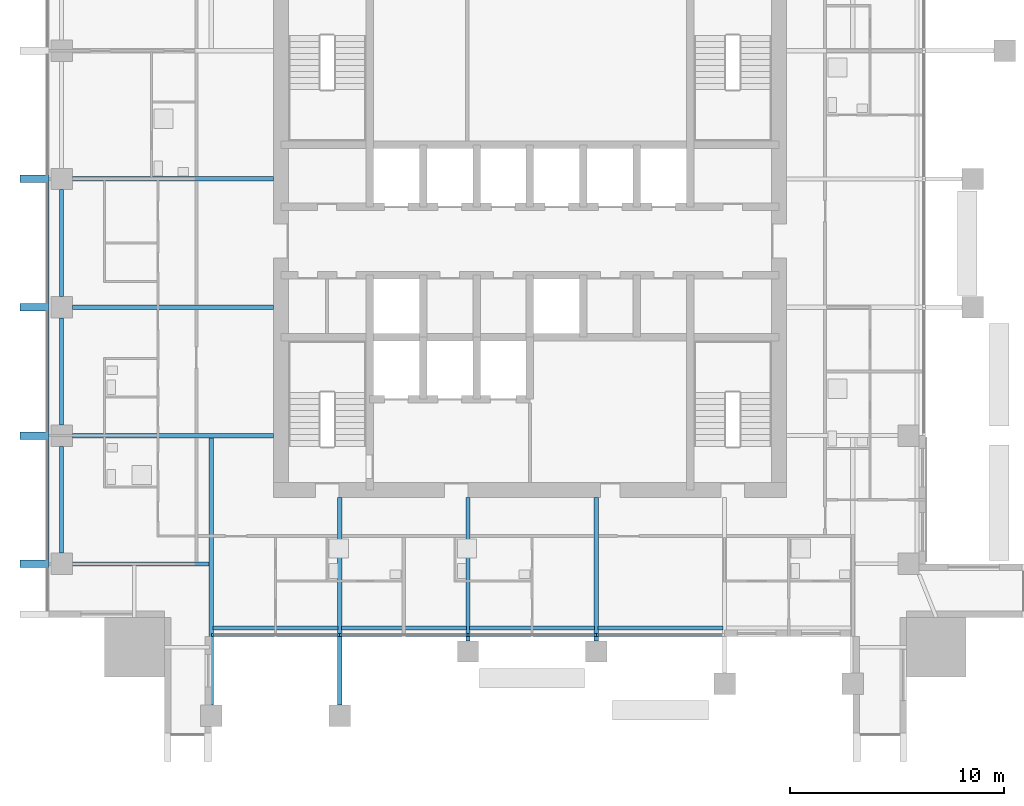
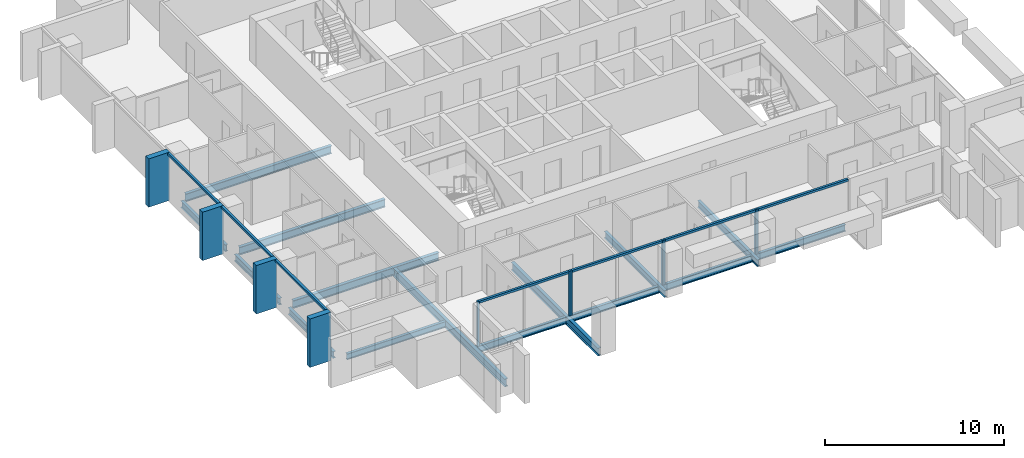
# One storey, part 2 of 14: 18 members, 15 beams, 5 elements without a shape of their own.
"""IFC4 building model written with IfcOpenShell, lengths in metres."""

from ifc_helpers import new_model, si_unit, direction, frame, origin, origin_2d, place, context, subcontext, project, spatial, rectangle, i_section, extrude, material, material_profile, profile_set, type_object, element, aggregate, save


model = new_model("IFC4")

# Units and contexts
model_context = context("Model", 3, precision=1e-05, world=origin(), true_north=direction((0.0, 1.0)))
body_context = subcontext(model_context, "Body", "Model", "MODEL_VIEW")
ifc_project = project(units=[si_unit("LENGTHUNIT", "METRE"), si_unit("AREAUNIT", "SQUARE_METRE"), si_unit("VOLUMEUNIT", "CUBIC_METRE"), si_unit("PLANEANGLEUNIT", "RADIAN"), si_unit("MASSUNIT", "GRAM", prefix="KILO")], contexts=[model_context])

# Site, building, storey
site_placement = place(None, origin())
site = spatial("IfcSite", under=ifc_project, at=site_placement, CompositionType="ELEMENT")
building_placement = place(site_placement, origin())
building = spatial("IfcBuilding", under=site, at=building_placement, Name="Amberfall Residences", CompositionType="ELEMENT")
storey_placement = place(building_placement, frame((0.0, 0.0, 168.10009765625)))
storey = spatial("IfcBuildingStorey", under=building, at=storey_placement, Name="L45", CompositionType="ELEMENT", Elevation=168.10009765625)

# Curtain wall, members
ifc_material_1 = material(Name="Bronze anodised aluminium and glass", Category="aluminium")
curtain_wall_type_1 = type_object("IfcCurtainWallType", Name="Curtain wall CW1 tower unit", PredefinedType="USERDEFINED", material=ifc_material_1)
curtain_wall_1_placement = place(storey_placement, origin())
curtain_wall_1 = element("IfcCurtainWall", 1, at=curtain_wall_1_placement, inside=storey, type_object=curtain_wall_type_1, Name="Curtain wall L45 W W1", ObjectType="UNITISED CURTAIN WALL", PredefinedType="USERDEFINED")
ifc_material_2 = material(Name="Bronze anodised aluminium", Category="aluminium")
ifc_material_profile_1 = material_profile(ifc_material_2, rectangle(XDim=0.14990234375, YDim=0.14990234375, at=origin_2d()), Name="CW1 transom 150 x 150 bronze")
ifc_profile_set_1 = profile_set([ifc_material_profile_1], Name="Bronze anodised aluminium")
member_type_1 = type_object("IfcMemberType", Name="CW1 transom 150 x 150 bronze", PredefinedType="USERDEFINED", material=ifc_profile_set_1)
member_1_placement = place(storey_placement, frame((51.925048828125, 48.22509765625, 2.974853515625), z_axis=(0.0, -1.0, 0.0), x_axis=(1.0, 0.0, 0.0)))
member_1 = element("IfcMember", 2, at=member_1_placement, type_object=member_type_1, Name="CW1 transom 4.1", ObjectType="TRANSOM", PredefinedType="USERDEFINED", context=body_context, shape_type="SweptSolid", body=[
    extrude(rectangle(XDim=0.14990234375, YDim=0.14990234375, at=origin_2d()), origin(), (0.0, 0.0, 1.0), 5.650146484375),
])
member_2_placement = place(storey_placement, frame((51.925048828125, 42.22509765625, 2.974853515625), z_axis=(0.0, -1.0, 0.0), x_axis=(1.0, 0.0, 0.0)))
member_2 = element("IfcMember", 3, at=member_2_placement, type_object=member_type_1, Name="CW1 transom 5.1", ObjectType="TRANSOM", PredefinedType="USERDEFINED", context=body_context, shape_type="SweptSolid", body=[
    extrude(rectangle(XDim=0.14990234375, YDim=0.14990234375, at=origin_2d()), origin(), (0.0, 0.0, 1.0), 5.650146484375),
])
member_3_placement = place(storey_placement, frame((51.925048828125, 36.22509765625, 2.974853515625), z_axis=(0.0, -1.0, 0.0), x_axis=(1.0, 0.0, 0.0)))
member_3 = element("IfcMember", 4, at=member_3_placement, type_object=member_type_1, Name="CW1 transom 6.1", ObjectType="TRANSOM", PredefinedType="USERDEFINED", context=body_context, shape_type="SweptSolid", body=[
    extrude(rectangle(XDim=0.14990234375, YDim=0.14990234375, at=origin_2d()), origin(), (0.0, 0.0, 1.0), 5.650146484375),
])

curtain_wall_type_2 = type_object("IfcCurtainWallType", Name="Curtain wall CW3 sky garden glazing", PredefinedType="USERDEFINED", material=ifc_material_1)
curtain_wall_2_placement = place(storey_placement, origin())
curtain_wall_2 = element("IfcCurtainWall", 5, at=curtain_wall_2_placement, inside=storey, type_object=curtain_wall_type_2, Name="Curtain wall L45 S S3", ObjectType="UNITISED CURTAIN WALL", PredefinedType="USERDEFINED")
ifc_material_profile_2 = material_profile(ifc_material_2, rectangle(XDim=0.14990234375, YDim=0.10009765625, at=origin_2d()), Name="CW3 mullion 100 x 150 bronze")
ifc_profile_set_2 = profile_set([ifc_material_profile_2], Name="Bronze anodised aluminium")
member_type_2 = type_object("IfcMemberType", Name="CW3 mullion 100 x 150 bronze", PredefinedType="MULLION", material=ifc_profile_set_2)
member_4_placement = place(storey_placement, frame((59.64990234375, 27.074951171875, 0.0), z_axis=(0.0, 0.0, 1.0), x_axis=(0.0, 1.0, 0.0)))
member_4 = element("IfcMember", 6, at=member_4_placement, type_object=member_type_2, Name="CW3 mullion 1", PredefinedType="MULLION", context=body_context, shape_type="SweptSolid", body=[
    extrude(rectangle(XDim=0.14990234375, YDim=0.10009765625, at=origin_2d()), origin(), (0.0, 0.0, 1.0), 3.0498046875),
])
member_5_placement = place(storey_placement, frame((65.550048828125, 27.074951171875, 0.0), z_axis=(0.0, 0.0, 1.0), x_axis=(0.0, 1.0, 0.0)))
member_5 = element("IfcMember", 7, at=member_5_placement, type_object=member_type_2, Name="CW3 mullion 2", PredefinedType="MULLION", context=body_context, shape_type="SweptSolid", body=[
    extrude(rectangle(XDim=0.14990234375, YDim=0.10009765625, at=origin_2d()), origin(), (0.0, 0.0, 1.0), 3.0498046875),
])

curtain_wall_3_placement = place(storey_placement, origin())
curtain_wall_3 = element("IfcCurtainWall", 8, at=curtain_wall_3_placement, inside=storey, type_object=curtain_wall_type_2, Name="Curtain wall L45 S S4", ObjectType="UNITISED CURTAIN WALL", PredefinedType="USERDEFINED")
member_6_placement = place(storey_placement, frame((65.64990234375, 27.074951171875, 0.0), z_axis=(0.0, 0.0, 1.0), x_axis=(0.0, 1.0, 0.0)))
member_6 = element("IfcMember", 9, at=member_6_placement, type_object=member_type_2, Name="CW3 mullion 1", PredefinedType="MULLION", context=body_context, shape_type="SweptSolid", body=[
    extrude(rectangle(XDim=0.14990234375, YDim=0.10009765625, at=origin_2d()), origin(), (0.0, 0.0, 1.0), 3.0498046875),
])
member_7_placement = place(storey_placement, frame((71.550048828125, 27.074951171875, 0.0), z_axis=(0.0, 0.0, 1.0), x_axis=(0.0, 1.0, 0.0)))
member_7 = element("IfcMember", 10, at=member_7_placement, type_object=member_type_2, Name="CW3 mullion 2", PredefinedType="MULLION", context=body_context, shape_type="SweptSolid", body=[
    extrude(rectangle(XDim=0.14990234375, YDim=0.10009765625, at=origin_2d()), origin(), (0.0, 0.0, 1.0), 3.0498046875),
])

curtain_wall_4_placement = place(storey_placement, origin())
curtain_wall_4 = element("IfcCurtainWall", 11, at=curtain_wall_4_placement, inside=storey, type_object=curtain_wall_type_2, Name="Curtain wall L45 S S5", ObjectType="UNITISED CURTAIN WALL", PredefinedType="USERDEFINED")
member_8_placement = place(storey_placement, frame((71.64990234375, 27.074951171875, 0.0), z_axis=(0.0, 0.0, 1.0), x_axis=(0.0, 1.0, 0.0)))
member_8 = element("IfcMember", 12, at=member_8_placement, type_object=member_type_2, Name="CW3 mullion 1", PredefinedType="MULLION", context=body_context, shape_type="SweptSolid", body=[
    extrude(rectangle(XDim=0.14990234375, YDim=0.10009765625, at=origin_2d()), origin(), (0.0, 0.0, 1.0), 3.0498046875),
])
member_9_placement = place(storey_placement, frame((77.550048828125, 27.074951171875, 0.0), z_axis=(0.0, 0.0, 1.0), x_axis=(0.0, 1.0, 0.0)))
member_9 = element("IfcMember", 13, at=member_9_placement, type_object=member_type_2, Name="CW3 mullion 2", PredefinedType="MULLION", context=body_context, shape_type="SweptSolid", body=[
    extrude(rectangle(XDim=0.14990234375, YDim=0.10009765625, at=origin_2d()), origin(), (0.0, 0.0, 1.0), 3.0498046875),
])

# Curtain wall, member
curtain_wall_5_placement = place(storey_placement, origin())
curtain_wall_5 = element("IfcCurtainWall", 14, at=curtain_wall_5_placement, inside=storey, type_object=curtain_wall_type_2, Name="Curtain wall L45 S S6", ObjectType="UNITISED CURTAIN WALL", PredefinedType="USERDEFINED")
member_10_placement = place(storey_placement, frame((77.64990234375, 27.074951171875, 0.0), z_axis=(0.0, 0.0, 1.0), x_axis=(0.0, 1.0, 0.0)))
member_10 = element("IfcMember", 15, at=member_10_placement, type_object=member_type_2, Name="CW3 mullion 1", PredefinedType="MULLION", context=body_context, shape_type="SweptSolid", body=[
    extrude(rectangle(XDim=0.14990234375, YDim=0.10009765625, at=origin_2d()), origin(), (0.0, 0.0, 1.0), 3.0498046875),
])

# Member
ifc_material_profile_3 = material_profile(ifc_material_2, rectangle(XDim=0.14990234375, YDim=0.14990234375, at=origin_2d()), Name="CW3 transom 150 x 150 bronze")
ifc_profile_set_3 = profile_set([ifc_material_profile_3], Name="Bronze anodised aluminium")
member_type_3 = type_object("IfcMemberType", Name="CW3 transom 150 x 150 bronze", PredefinedType="USERDEFINED", material=ifc_profile_set_3)
member_11_placement = place(storey_placement, frame((59.699951171875, 27.074951171875, 2.974853515625), z_axis=(1.0, 0.0, 0.0), x_axis=(0.0, 1.0, 0.0)))
member_11 = element("IfcMember", 16, at=member_11_placement, type_object=member_type_3, Name="CW3 transom 1.1", ObjectType="TRANSOM", PredefinedType="USERDEFINED", context=body_context, shape_type="SweptSolid", body=[
    extrude(rectangle(XDim=0.14990234375, YDim=0.14990234375, at=origin_2d()), origin(), (0.0, 0.0, 1.0), 5.800048828125),
])

aggregate(curtain_wall_2, [member_4, member_5, member_11])

member_12_placement = place(storey_placement, frame((65.699951171875, 27.074951171875, 2.974853515625), z_axis=(1.0, 0.0, 0.0), x_axis=(0.0, 1.0, 0.0)))
member_12 = element("IfcMember", 17, at=member_12_placement, type_object=member_type_3, Name="CW3 transom 1.1", ObjectType="TRANSOM", PredefinedType="USERDEFINED", context=body_context, shape_type="SweptSolid", body=[
    extrude(rectangle(XDim=0.14990234375, YDim=0.14990234375, at=origin_2d()), origin(), (0.0, 0.0, 1.0), 5.800048828125),
])

aggregate(curtain_wall_3, [member_6, member_7, member_12])

member_13_placement = place(storey_placement, frame((71.699951171875, 27.074951171875, 2.974853515625), z_axis=(1.0, 0.0, 0.0), x_axis=(0.0, 1.0, 0.0)))
member_13 = element("IfcMember", 18, at=member_13_placement, type_object=member_type_3, Name="CW3 transom 1.1", ObjectType="TRANSOM", PredefinedType="USERDEFINED", context=body_context, shape_type="SweptSolid", body=[
    extrude(rectangle(XDim=0.14990234375, YDim=0.14990234375, at=origin_2d()), origin(), (0.0, 0.0, 1.0), 5.800048828125),
])

aggregate(curtain_wall_4, [member_8, member_9, member_13])

member_14_placement = place(storey_placement, frame((77.699951171875, 27.074951171875, 2.974853515625), z_axis=(1.0, 0.0, 0.0), x_axis=(0.0, 1.0, 0.0)))
member_14 = element("IfcMember", 19, at=member_14_placement, type_object=member_type_3, Name="CW3 transom 1.1", ObjectType="TRANSOM", PredefinedType="USERDEFINED", context=body_context, shape_type="SweptSolid", body=[
    extrude(rectangle(XDim=0.14990234375, YDim=0.14990234375, at=origin_2d()), origin(), (0.0, 0.0, 1.0), 5.800048828125),
])

aggregate(curtain_wall_5, [member_10, member_14])

# Beams
ifc_material_3 = material(Name="Steel S355", Category="steel")
ifc_material_profile_4 = material_profile(ifc_material_3, i_section(OverallWidth=0.18994140625, OverallDepth=0.453369140625, WebThickness=0.008544921875, FlangeThickness=0.0126953125, FilletRadius=0.01025390625, at=origin_2d()), Name="UB 457x191x67")
ifc_profile_set_4 = profile_set([ifc_material_profile_4], Name="Steel S355")
beam_type_1 = type_object("IfcBeamType", Name="Edge beam UB 457x191x67", PredefinedType="SPANDREL", material=ifc_profile_set_4)
for number, where, z_axis, x_axis, name in (
    (20, (59.679931640625, 27.39990234375, -0.476806640625), (1.0, 0.0, 0.0), (0.0, 1.0, 0.0), "Edge beam B1 L45 01"),
    (21, (65.679931640625, 27.39990234375, -0.476806640625), (1.0, 0.0, 0.0), (0.0, 1.0, 0.0), "Edge beam B1 L45 02"),
    (22, (71.679931640625, 27.39990234375, -0.476806640625), (1.0, 0.0, 0.0), (0.0, 1.0, 0.0), "Edge beam B1 L45 03"),
    (23, (77.679931640625, 27.39990234375, -0.476806640625), (1.0, 0.0, 0.0), (0.0, 1.0, 0.0), "Edge beam B1 L45 04"),
):
    element("IfcBeam", number, at=place(storey_placement, frame(where, z_axis=z_axis, x_axis=x_axis)), inside=storey, type_object=beam_type_1, Name=name, PredefinedType="SPANDREL", context=body_context, shape_type="SweptSolid", body=[
        extrude(i_section(OverallWidth=0.18994140625, OverallDepth=0.453369140625, WebThickness=0.008544921875, FlangeThickness=0.0126953125, FilletRadius=0.01025390625, at=origin_2d()), origin(), (0.0, 0.0, 1.0), 5.840087890625),
    ])
for number, where, z_axis, x_axis, name in (
    (24, (52.60009765625, 30.89990234375, -0.476806640625), (0.0, 1.0, 0.0), (-1.0, 0.0, 0.0), "Edge beam B1 L45 34"),
    (25, (52.60009765625, 36.89990234375, -0.476806640625), (0.0, 1.0, 0.0), (-1.0, 0.0, 0.0), "Edge beam B1 L45 35"),
    (26, (52.60009765625, 42.89990234375, -0.476806640625), (0.0, 1.0, 0.0), (-1.0, 0.0, 0.0), "Edge beam B1 L45 36"),
):
    element("IfcBeam", number, at=place(storey_placement, frame(where, z_axis=z_axis, x_axis=x_axis)), inside=storey, type_object=beam_type_1, Name=name, PredefinedType="SPANDREL", context=body_context, shape_type="SweptSolid", body=[
        extrude(i_section(OverallWidth=0.18994140625, OverallDepth=0.453369140625, WebThickness=0.008544921875, FlangeThickness=0.0126953125, FilletRadius=0.01025390625, at=origin_2d()), origin(), (0.0, 0.0, 1.0), 5.0),
    ])

# Member
ifc_material_profile_5 = material_profile(ifc_material_2, rectangle(XDim=1.35009765625, YDim=0.35009765625, at=origin_2d()), Name="Fin 350 x 1350 bronze")
ifc_profile_set_5 = profile_set([ifc_material_profile_5], Name="Bronze anodised aluminium")
member_type_4 = type_object("IfcMemberType", Name="Fin 350 x 1350 bronze", PredefinedType="MULLION", material=ifc_profile_set_5)
member_15_placement = place(storey_placement, frame((51.324951171875, 48.39990234375, -0.25), z_axis=(0.0, 0.0, 1.0), x_axis=(1.0, 0.0, 0.0)))
member_15 = element("IfcMember", 27, at=member_15_placement, type_object=member_type_4, Name="CW FIN 4", PredefinedType="MULLION", context=body_context, shape_type="SweptSolid", body=[
    extrude(rectangle(XDim=1.35009765625, YDim=0.35009765625, at=origin_2d()), origin(), (0.0, 0.0, 1.0), 3.2998046875),
])

member_16_placement = place(storey_placement, frame((51.324951171875, 42.39990234375, -0.25), z_axis=(0.0, 0.0, 1.0), x_axis=(1.0, 0.0, 0.0)))
member_16 = element("IfcMember", 28, at=member_16_placement, type_object=member_type_4, Name="CW FIN 5", PredefinedType="MULLION", context=body_context, shape_type="SweptSolid", body=[
    extrude(rectangle(XDim=1.35009765625, YDim=0.35009765625, at=origin_2d()), origin(), (0.0, 0.0, 1.0), 3.2998046875),
])

member_17_placement = place(storey_placement, frame((51.324951171875, 36.39990234375, -0.25), z_axis=(0.0, 0.0, 1.0), x_axis=(1.0, 0.0, 0.0)))
member_17 = element("IfcMember", 29, at=member_17_placement, type_object=member_type_4, Name="CW FIN 6", PredefinedType="MULLION", context=body_context, shape_type="SweptSolid", body=[
    extrude(rectangle(XDim=1.35009765625, YDim=0.35009765625, at=origin_2d()), origin(), (0.0, 0.0, 1.0), 3.2998046875),
])

member_18_placement = place(storey_placement, frame((51.324951171875, 30.39990234375, -0.25), z_axis=(0.0, 0.0, 1.0), x_axis=(1.0, 0.0, 0.0)))
member_18 = element("IfcMember", 30, at=member_18_placement, type_object=member_type_4, Name="CW FIN 7", PredefinedType="MULLION", context=body_context, shape_type="SweptSolid", body=[
    extrude(rectangle(XDim=1.35009765625, YDim=0.35009765625, at=origin_2d()), origin(), (0.0, 0.0, 1.0), 3.2998046875),
])

aggregate(curtain_wall_1, [member_15, member_16, member_17, member_18, member_1, member_2, member_3])

# Beams
ifc_material_profile_6 = material_profile(ifc_material_3, i_section(OverallWidth=0.177734375, OverallDepth=0.402587890625, WebThickness=0.0078125, FlangeThickness=0.010986328125, FilletRadius=0.01025390625, at=origin_2d()), Name="UB 406x178x54")
ifc_profile_set_6 = profile_set([ifc_material_profile_6], Name="Steel S355")
beam_type_2 = type_object("IfcBeamType", Name="Floor girder UB 406x178x54", PredefinedType="BEAM", material=ifc_profile_set_6)
beam_1_placement = place(storey_placement, frame((53.10009765625, 30.39990234375, -0.451416015625), z_axis=(1.0, 0.0, 0.0), x_axis=(0.0, 1.0, 0.0)))
element("IfcBeam", 31, at=beam_1_placement, inside=storey, type_object=beam_type_2, Name="Floor girder B4 L45 39", PredefinedType="BEAM", context=body_context, shape_type="SweptSolid", body=[
    extrude(i_section(OverallWidth=0.177734375, OverallDepth=0.402587890625, WebThickness=0.0078125, FlangeThickness=0.010986328125, FilletRadius=0.01025390625, at=origin_2d()), origin(), (0.0, 0.0, 1.0), 6.3798828125),
])
ifc_material_profile_7 = material_profile(ifc_material_3, i_section(OverallWidth=0.19140625, OverallDepth=0.4599609375, WebThickness=0.010009765625, FlangeThickness=0.01611328125, FilletRadius=0.01025390625, at=origin_2d()), Name="UB 457x191x82")
ifc_profile_set_7 = profile_set([ifc_material_profile_7], Name="Steel S355")
beam_type_3 = type_object("IfcBeamType", Name="Floor girder UB 457x191x82", PredefinedType="BEAM", material=ifc_profile_set_7)
for number, where, z_axis, x_axis, name in (
    (32, (71.60009765625, 26.800048828125, -0.47998046875), (0.0, 1.0, 0.0), (-1.0, 0.0, 0.0), "Floor girder B10 L45 08"),
    (33, (77.60009765625, 26.800048828125, -0.47998046875), (0.0, 1.0, 0.0), (-1.0, 0.0, 0.0), "Floor girder B10 L45 09"),
):
    element("IfcBeam", number, at=place(storey_placement, frame(where, z_axis=z_axis, x_axis=x_axis)), inside=storey, type_object=beam_type_3, Name=name, PredefinedType="BEAM", context=body_context, shape_type="SweptSolid", body=[
        extrude(i_section(OverallWidth=0.19140625, OverallDepth=0.4599609375, WebThickness=0.010009765625, FlangeThickness=0.01611328125, FilletRadius=0.01025390625, at=origin_2d()), origin(), (0.0, 0.0, 1.0), 6.699951171875),
    ])
ifc_material_profile_8 = material_profile(ifc_material_3, i_section(OverallWidth=0.210693359375, OverallDepth=0.53955078125, WebThickness=0.01171875, FlangeThickness=0.018798828125, FilletRadius=0.0126953125, at=origin_2d()), Name="UB 533x210x109")
ifc_profile_set_8 = profile_set([ifc_material_profile_8], Name="Steel S355")
beam_type_4 = type_object("IfcBeamType", Name="Floor girder UB 533x210x109", PredefinedType="BEAM", material=ifc_profile_set_8)
beam_2_placement = place(storey_placement, frame((59.60009765625, 23.800048828125, -0.519775390625), z_axis=(0.0, 1.0, 0.0), x_axis=(-1.0, 0.0, 0.0)))
element("IfcBeam", 34, at=beam_2_placement, inside=storey, type_object=beam_type_4, Name="Floor girder B2 L45 06", PredefinedType="BEAM", context=body_context, shape_type="SweptSolid", body=[
    extrude(i_section(OverallWidth=0.210693359375, OverallDepth=0.53955078125, WebThickness=0.01171875, FlangeThickness=0.018798828125, FilletRadius=0.0126953125, at=origin_2d()), origin(), (0.0, 0.0, 1.0), 12.500244140625),
])
ifc_material_profile_9 = material_profile(ifc_material_3, i_section(OverallWidth=0.209228515625, OverallDepth=0.533203125, WebThickness=0.010009765625, FlangeThickness=0.015625, FilletRadius=0.0126953125, at=origin_2d()), Name="UB 533x210x92")
ifc_profile_set_9 = profile_set([ifc_material_profile_9], Name="Steel S355")
beam_type_5 = type_object("IfcBeamType", Name="Floor girder UB 533x210x92", PredefinedType="BEAM", material=ifc_profile_set_9)
beam_3_placement = place(storey_placement, frame((65.60009765625, 23.800048828125, -0.5166015625), z_axis=(0.0, 1.0, 0.0), x_axis=(-1.0, 0.0, 0.0)))
element("IfcBeam", 35, at=beam_3_placement, inside=storey, type_object=beam_type_5, Name="Floor girder B3 L45 07", PredefinedType="BEAM", context=body_context, shape_type="SweptSolid", body=[
    extrude(i_section(OverallWidth=0.209228515625, OverallDepth=0.533203125, WebThickness=0.010009765625, FlangeThickness=0.015625, FilletRadius=0.0126953125, at=origin_2d()), origin(), (0.0, 0.0, 1.0), 9.699951171875),
])
for number, where, z_axis, x_axis, name in (
    (36, (53.10009765625, 36.39990234375, -0.5166015625), (1.0, 0.0, 0.0), (0.0, 1.0, 0.0), "Floor girder B3 L45 40"),
    (37, (53.10009765625, 42.39990234375, -0.5166015625), (1.0, 0.0, 0.0), (0.0, 1.0, 0.0), "Floor girder B3 L45 41"),
    (38, (53.10009765625, 48.39990234375, -0.5166015625), (1.0, 0.0, 0.0), (0.0, 1.0, 0.0), "Floor girder B3 L45 42"),
):
    element("IfcBeam", number, at=place(storey_placement, frame(where, z_axis=z_axis, x_axis=x_axis)), inside=storey, type_object=beam_type_5, Name=name, PredefinedType="BEAM", context=body_context, shape_type="SweptSolid", body=[
        extrude(i_section(OverallWidth=0.209228515625, OverallDepth=0.533203125, WebThickness=0.010009765625, FlangeThickness=0.015625, FilletRadius=0.0126953125, at=origin_2d()), origin(), (0.0, 0.0, 1.0), 9.39990234375),
    ])

save(model, "model.ifc")
